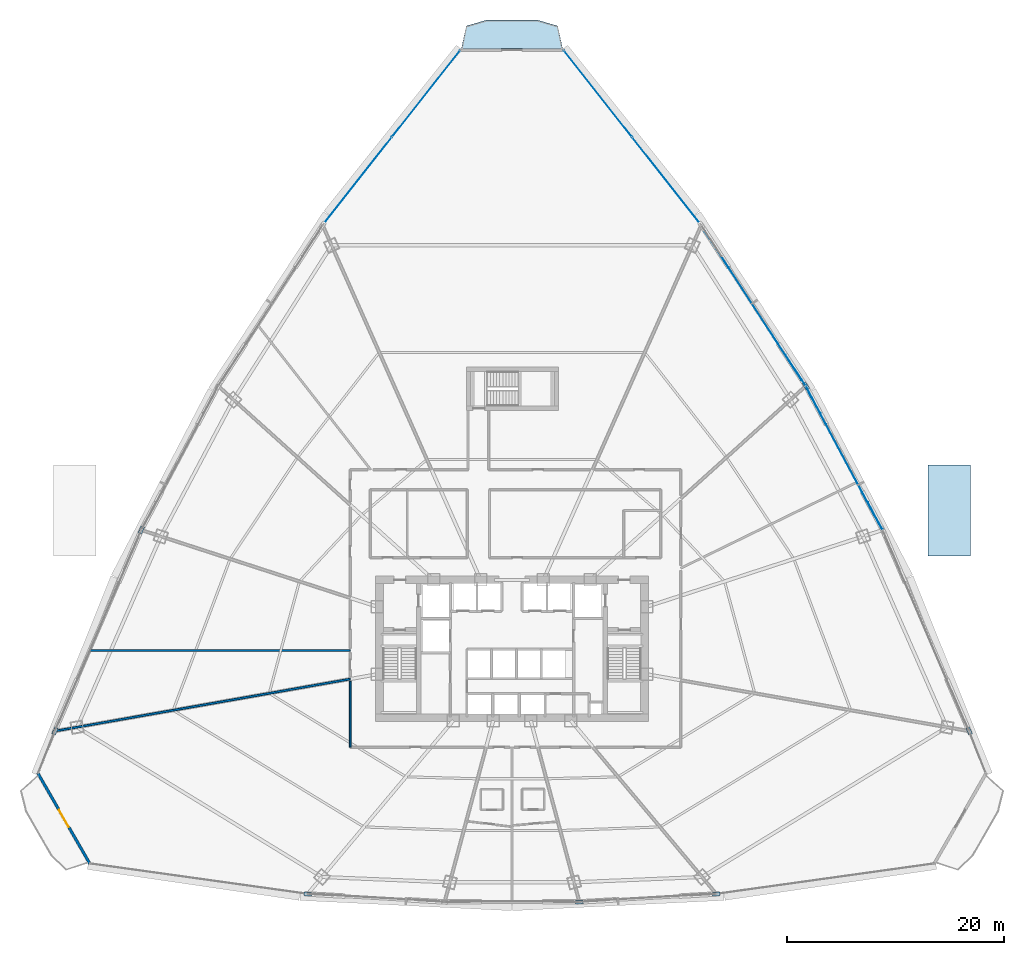
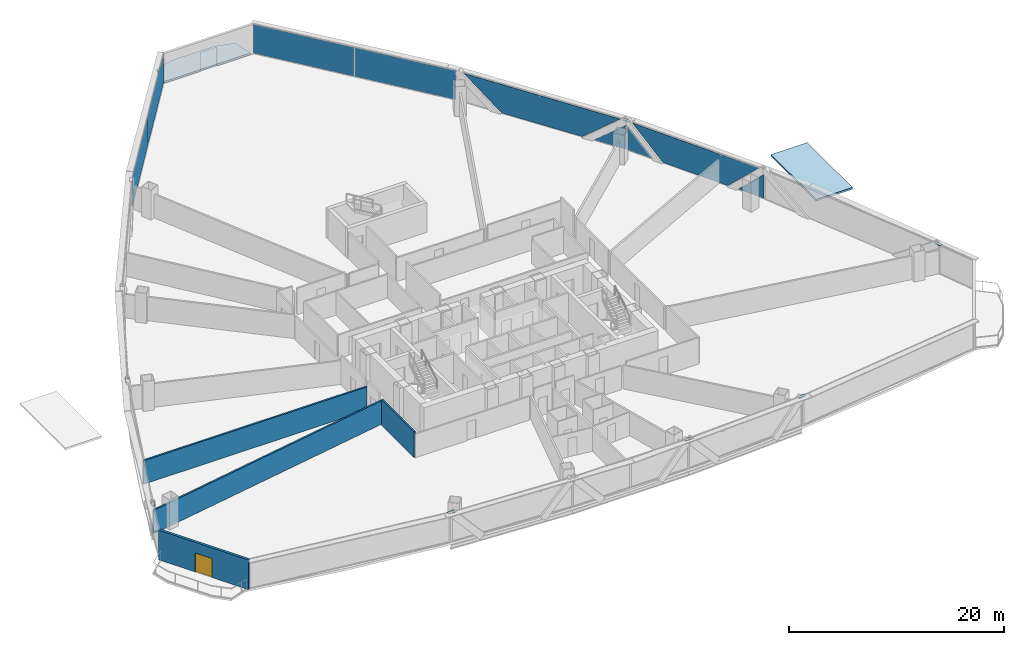
# One storey, part 29 of 38: 16 plates, 4 walls, 2 slabs, 1 door, 1 opening, 4 elements without a shape of their own.
"""IFC4 building model written with IfcOpenShell, lengths in metres."""

from ifc_helpers import new_model, si_unit, direction, frame, frame_2d, origin, origin_with_axes, origin_2d, place, context, subcontext, project, spatial, polyline, rectangle, outline, extrude, source, transform, mapped, material, layer, layer_set, type_object, element, fill, aggregate, save


model = new_model("IFC4")

# Units and contexts
model_context = context("Model", 3, precision=1e-05, world=origin(), true_north=direction((0.0, 1.0)))
body_context = subcontext(model_context, "Body", "Model", "MODEL_VIEW")
ifc_project = project(units=[si_unit("LENGTHUNIT", "METRE"), si_unit("AREAUNIT", "SQUARE_METRE"), si_unit("VOLUMEUNIT", "CUBIC_METRE"), si_unit("PLANEANGLEUNIT", "RADIAN"), si_unit("MASSUNIT", "GRAM", prefix="KILO"), si_unit("THERMODYNAMICTEMPERATUREUNIT", "KELVIN"), si_unit("POWERUNIT", "WATT")], contexts=[model_context])

# Site, building, storey
site_placement = place(None, origin())
site = spatial("IfcSite", under=ifc_project, at=site_placement, CompositionType="ELEMENT")
building_placement = place(site_placement, origin())
building = spatial("IfcBuilding", under=site, at=building_placement, Name="Yunzhuo Pagoda Commons", CompositionType="ELEMENT")
storey_placement = place(building_placement, frame((0.0, 0.0, 30.39990234375)))
storey = spatial("IfcBuildingStorey", under=building, at=storey_placement, Name="L07", CompositionType="ELEMENT", Elevation=30.39990234375)

# Curtain wall, plates
ifc_material_1 = material(Name="Anodized aluminium 6063-T6", Category="aluminium")
ifc_layer_1 = layer(ifc_material_1, 0.1650390625)
ifc_layer_set_1 = layer_set([ifc_layer_1], Name="Anodized aluminium 6063-T6")
curtain_wall_type = type_object("IfcCurtainWallType", Name="CW-LOW Low-Zone Ribbon Curtain Wall", PredefinedType="NOTDEFINED", material=ifc_layer_set_1)
curtain_wall_1_placement = place(storey_placement, origin())
curtain_wall_1 = element("IfcCurtainWall", 1, at=curtain_wall_1_placement, inside=storey, type_object=curtain_wall_type, Name="L07 curtain wall CW-L07-F2B3", PredefinedType="NOTDEFINED")
ifc_material_2 = material(Name="Tempered low-e double glazing", Category="glass")
ifc_layer_2 = layer(ifc_material_2, 0.028076171875)
ifc_layer_set_2 = layer_set([ifc_layer_2], Name="Tempered low-e double glazing")
plate_type_1 = type_object("IfcPlateType", Name="CW-LOW-P Low-E Double Glazing 28", PredefinedType="CURTAIN_PANEL", material=ifc_layer_set_2)
plate_1_placement = place(storey_placement, frame((81.434326171875, 46.086181640625, 1.419677734375), z_axis=(0.882141395132, 0.470984669595, 0.0), x_axis=(-0.470984669595, 0.882141395132, 0.0)))
plate_1 = element("IfcPlate", 2, at=plate_1_placement, type_object=plate_type_1, Name="CW panel 1.1 lite 1", PredefinedType="CURTAIN_PANEL", context=body_context, shape_type="SweptSolid", body=[
    extrude(outline(polyline([(-1.408447265625, -1.359619140625), (1.408203125, -1.359619140625), (-1.408447265625, 1.359619140625), (-1.408447265625, -1.359619140625)])), origin(), (0.0, 0.0, 1.0), 0.028076171875),
])
plate_2_placement = place(storey_placement, frame((78.5595703125, 51.406494140625, 1.68505859375), z_axis=(0.882141395132, 0.470984669595, 0.0), x_axis=(-0.470984669595, 0.882141395132, 0.0)))
plate_2 = element("IfcPlate", 3, at=plate_2_placement, type_object=plate_type_1, Name="CW panel 1.1 lite 2", PredefinedType="CURTAIN_PANEL", context=body_context, shape_type="SweptSolid", body=[
    extrude(outline(polyline([(-6.911376953125, 1.625), (-3.544677734375, -1.625), (3.544677734375, -1.625), (6.911376953125, 1.625), (-6.911376953125, 1.625)])), origin(), (0.0, 0.0, 1.0), 0.028076171875),
])
plate_3_placement = place(storey_placement, frame((75.73779296875, 56.75537109375, 1.419677734375), z_axis=(0.882141395132, 0.470984669595, 0.0), x_axis=(-0.470984669595, 0.882141395132, 0.0)))
plate_3 = element("IfcPlate", 4, at=plate_3_placement, type_object=plate_type_1, Name="CW panel 1.1 lite 3", PredefinedType="CURTAIN_PANEL", context=body_context, shape_type="SweptSolid", body=[
    extrude(outline(polyline([(-1.408203125, -1.359619140625), (1.408447265625, -1.359619140625), (1.408447265625, 1.359619140625), (-1.408203125, -1.359619140625)])), origin(), (0.0, 0.0, 1.0), 0.028076171875),
])
aggregate(curtain_wall_1, [plate_1, plate_2, plate_3])

curtain_wall_2_placement = place(storey_placement, origin())
curtain_wall_2 = element("IfcCurtainWall", 5, at=curtain_wall_2_placement, inside=storey, type_object=curtain_wall_type, Name="L07 curtain wall CW-L07-F2B4", PredefinedType="NOTDEFINED")
plate_4_placement = place(storey_placement, frame((74.09375, 59.518310546875, 1.4423828125), z_axis=(0.83865240069, 0.544667009114, 0.0), x_axis=(-0.544667009114, 0.83865240069, 0.0)))
plate_4 = element("IfcPlate", 6, at=plate_4_placement, type_object=plate_type_1, Name="CW panel 1.1 lite 1", PredefinedType="CURTAIN_PANEL", context=body_context, shape_type="SweptSolid", body=[
    extrude(outline(polyline([(-1.680908203125, -1.38232421875), (1.680908203125, -1.38232421875), (-1.680908203125, 1.38232421875), (-1.680908203125, -1.38232421875)])), origin(), (0.0, 0.0, 1.0), 0.028076171875),
])
plate_5_placement = place(storey_placement, frame((70.2109375, 65.441650390625, 1.68505859375), z_axis=(0.83865240069, 0.544667009114, 0.0), x_axis=(-0.544667009114, 0.83865240069, 0.0)))
plate_5 = element("IfcPlate", 7, at=plate_5_placement, type_object=plate_type_1, Name="CW panel 1.1 lite 2", PredefinedType="CURTAIN_PANEL", context=body_context, shape_type="SweptSolid", body=[
    extrude(outline(polyline([(-8.156982421875, 1.625), (-4.205078125, -1.625), (4.205078125, -1.625), (8.156982421875, 1.625), (-8.156982421875, 1.625)])), origin(), (0.0, 0.0, 1.0), 0.028076171875),
])
aggregate(curtain_wall_2, [plate_4, plate_5])

# Slabs
ifc_material_3 = material(Name="Concrete C40", Category="concrete")
ifc_layer_3 = layer(ifc_material_3, 0.199951171875)
ifc_layer_set_3 = layer_set([ifc_layer_3], Name="Concrete C40")
slab_type_1 = type_object("IfcSlabType", Name="SL-BAL Vertex Balcony Deck Slab 200", PredefinedType="FLOOR", material=ifc_layer_set_3)
slab_1_placement = place(storey_placement, frame((0.0, 0.0, -0.199951171875)))
element("IfcSlab", 8, at=slab_1_placement, inside=storey, type_object=slab_type_1, Name="L07 corner balcony V3", PredefinedType="FLOOR", context=body_context, shape_type="SweptSolid", body=[
    extrude(outline(polyline([(52.66357421875, 89.11572265625), (43.33642578125, 89.11572265625), (43.786376953125, 91.210693359375), (45.668212890625, 91.7607421875), (50.331787109375, 91.7607421875), (52.213623046875, 91.210693359375), (52.66357421875, 89.11572265625)])), origin(), (0.0, 0.0, 1.0), 0.199951171875),
])
ifc_layer_4 = layer(ifc_material_3, 0.199951171875)
ifc_layer_set_4 = layer_set([ifc_layer_4], Name="Concrete C40")
slab_type_2 = type_object("IfcSlabType", Name="SL-RF3 Stair Head Roof Slab 200", PredefinedType="ROOF", material=ifc_layer_set_4)
slab_2_placement = place(storey_placement, frame((0.0, 0.0, -0.260009765625)))
element("IfcSlab", 9, at=slab_2_placement, inside=storey, type_object=slab_type_2, Name="PS4 stair head roof slab", PredefinedType="ROOF", context=body_context, shape_type="SweptSolid", body=[
    extrude(outline(polyline([(86.300048828125, 42.39990234375), (90.199951171875, 42.39990234375), (90.199951171875, 50.800048828125), (86.300048828125, 50.800048828125), (86.300048828125, 42.39990234375)])), origin(), (0.0, 0.0, 1.0), 0.2001953125),
])

# Plates
ifc_material_4 = material(Name="Structural steel Q355B", Category="steel")
ifc_layer_5 = layer(ifc_material_4, 0.028076171875)
ifc_layer_set_5 = layer_set([ifc_layer_5], Name="Structural steel Q355B")
plate_type_2 = type_object("IfcPlateType", Name="SP-ND1 Lattice Node Cap Plate 800x500x28", PredefinedType="USERDEFINED", material=ifc_layer_set_5)
shared_shape_1 = source(origin(), body_context, "Body", "SweptSolid", [
    extrude(rectangle(XDim=0.699951171875, YDim=0.35009765625, at=origin_2d()), origin(), (0.0, 0.0, 1.0), 0.035888671875),
])
for number, where, z_axis, x_axis, name in (
    (10, (29.18701171875, 11.279541015625, 3.33203125), (0.0, 0.0, 1.0), (0.998322672768, -0.057895086472, 0.0), "L07 setback lattice tie plate F1.1L"),
    (11, (54.20361328125, 10.548095703125, 3.33203125), (0.0, 0.0, 1.0), (0.998322672768, 0.057895086472, 0.0), "L07 setback lattice tie plate F1.3L"),
    (12, (66.81298828125, 11.279541015625, 3.33203125), (0.0, 0.0, 1.0), (0.998322672768, 0.057895086472, 0.0), "L07 setback lattice tie plate F1.3R"),
    (13, (90.098388671875, 26.27685546875, 3.33203125), (0.0, 0.0, 1.0), (-0.39485610496, 0.918742976232, 0.0), "L07 setback lattice tie plate F2.1L"),
    (14, (75.056396484375, 58.061767578125, 3.33203125), (0.0, 0.0, 1.0), (-0.544668309809, 0.838651555946, 0.0), "L07 setback lattice tie plate F2.3L"),
    (15, (13.859375, 44.79296875, 3.33203125), (0.0, 0.0, 1.0), (-0.39485610496, -0.918742976232, 0.0), "L07 setback lattice tie plate F3.3L"),
    (16, (5.901611328125, 26.27685546875, 3.33203125), (0.0, 0.0, 1.0), (-0.39485610496, -0.918742976232, 0.0), "L07 setback lattice tie plate F3.3R"),
):
    element("IfcPlate", number, at=place(storey_placement, frame(where, z_axis=z_axis, x_axis=x_axis)), inside=storey, type_object=plate_type_2, Name=name, ObjectType="STIFFENER_PLATE", PredefinedType="USERDEFINED", context=body_context, shape_type="MappedRepresentation", body=[
        mapped(shared_shape_1, transform((0.0, 0.0, 0.0), scale=1.0)),
    ])

# Curtain wall, plates
curtain_wall_3_placement = place(storey_placement, origin())
curtain_wall_3 = element("IfcCurtainWall", 17, at=curtain_wall_3_placement, inside=storey, type_object=curtain_wall_type, Name="L07 curtain wall CW-L07-F2B5", PredefinedType="NOTDEFINED")
shared_shape_2 = source(origin(), body_context, "Body", "SweptSolid", [
    extrude(rectangle(XDim=10.116455078125, YDim=0.028076171875, at=origin_2d()), origin(), (0.0, 0.0, 1.0), 3.25),
])
plate_6_placement = place(storey_placement, frame((62.224365234375, 76.954345703125, 0.06005859375), z_axis=(0.0, 0.0, 1.0), x_axis=(-0.618481153932, 0.785799632369, 0.0)))
plate_6 = element("IfcPlate", 18, at=plate_6_placement, type_object=plate_type_1, Name="CW panel 1.1", PredefinedType="CURTAIN_PANEL", context=body_context, shape_type="MappedRepresentation", body=[
    mapped(shared_shape_2, transform((0.0, 0.0, 0.0), scale=1.0)),
])
plate_7_placement = place(storey_placement, frame((55.92724609375, 84.954833984375, 0.06005859375), z_axis=(0.0, 0.0, 1.0), x_axis=(-0.618481153932, 0.785799632369, 0.0)))
plate_7 = element("IfcPlate", 19, at=plate_7_placement, type_object=plate_type_1, Name="CW panel 2.1", PredefinedType="CURTAIN_PANEL", context=body_context, shape_type="MappedRepresentation", body=[
    mapped(shared_shape_2, transform((0.0, 0.0, 0.0), scale=1.0)),
])
aggregate(curtain_wall_3, [plate_6, plate_7])

curtain_wall_4_placement = place(storey_placement, origin())
curtain_wall_4 = element("IfcCurtainWall", 20, at=curtain_wall_4_placement, inside=storey, type_object=curtain_wall_type, Name="L07 curtain wall CW-L07-F3B1", PredefinedType="NOTDEFINED")
plate_8_placement = place(storey_placement, frame((40.07275390625, 84.954833984375, 0.06005859375), z_axis=(0.0, 0.0, 1.0), x_axis=(-0.618481153932, -0.785799632369, 0.0)))
plate_8 = element("IfcPlate", 21, at=plate_8_placement, type_object=plate_type_1, Name="CW panel 1.1", PredefinedType="CURTAIN_PANEL", context=body_context, shape_type="MappedRepresentation", body=[
    mapped(shared_shape_2, transform((0.0, 0.0, 0.0), scale=1.0)),
])
plate_9_placement = place(storey_placement, frame((33.775634765625, 76.954345703125, 0.06005859375), z_axis=(0.0, 0.0, 1.0), x_axis=(-0.618481153932, -0.785799632369, 0.0)))
plate_9 = element("IfcPlate", 22, at=plate_9_placement, type_object=plate_type_1, Name="CW panel 2.1", PredefinedType="CURTAIN_PANEL", context=body_context, shape_type="MappedRepresentation", body=[
    mapped(shared_shape_2, transform((0.0, 0.0, 0.0), scale=1.0)),
])
aggregate(curtain_wall_4, [plate_8, plate_9])

# Wall, opening, door
ifc_material_5 = material(Name="Precast concrete C40", Category="concrete")
ifc_layer_6 = layer(ifc_material_5, 0.260009765625)
ifc_layer_set_6 = layer_set([ifc_layer_6], Name="Precast concrete C40")
wall_type_1 = type_object("IfcWallType", Name="W-BAL1 Corner Balcony Threshold Wall 260", PredefinedType="STANDARD", material=ifc_layer_set_6)
wall_1_placement = place(storey_placement, frame((4.329345703125, 22.4169921875, 0.0), z_axis=(0.0, 0.0, 1.0), x_axis=(0.497938580997, -0.867212297857, 0.0)))
wall_1 = element("IfcWall", 23, at=wall_1_placement, inside=storey, type_object=wall_type_1, Name="L07 corner balcony wall V1", PredefinedType="STANDARD", context=body_context, shape_type="SweptSolid", body=[
    extrude(rectangle(XDim=9.665771484375, YDim=0.260009765625, at=frame_2d((4.8330078125, 0.0))), origin(), (0.0, 0.0, 1.0), 3.3701171875),
])
opening_placement = place(wall_1_placement, frame((3.93310546875, 0.0, 0.0)))
opening = element("IfcOpeningElement", 24, at=opening_placement, cuts=wall_1, Name="Opening D-BAL1", PredefinedType="OPENING", context=body_context, shape_type="SweptSolid", body=[
    extrude(rectangle(XDim=1.800048828125, YDim=2.14990234375, at=frame_2d((0.89990234375, 1.074951171875))), frame((0.0, 0.14013671875, 0.0), z_axis=(0.0, -1.0, 0.0), x_axis=(1.0, 0.0, 0.0)), (0.0, 0.0, 1.0), 0.280029296875),
])
ifc_material_6 = material(Name="Anodized aluminium frame and tempered glazed leaf", Category="aluminium")
door_type = type_object("IfcDoorType", Name="D-BAL1 Corner Balcony Sliding Glazed Door 1800x2150", OperationType="DOUBLE_DOOR_SLIDING", PredefinedType="DOOR", material=ifc_material_6)
shared_shape_3 = source(origin(), body_context, "Body", "SweptSolid", [
    extrude(rectangle(XDim=1.800048828125, YDim=2.14990234375, at=frame_2d((0.89990234375, 1.074951171875))), frame((0.0, 0.02490234375, 0.0), z_axis=(0.0, -1.0, 0.0), x_axis=(1.0, 0.0, 0.0)), (0.0, 0.0, 1.0), 0.050048828125),
])
door_placement = place(opening_placement, origin_with_axes())
door = element("IfcDoor", 25, at=door_placement, inside=storey, type_object=door_type, Name="L07 corner balcony sliding door V1", OperationType="DOUBLE_DOOR_SLIDING", OverallHeight=2.14990234375, OverallWidth=1.800048828125, PredefinedType="DOOR", context=body_context, shape_type="MappedRepresentation", body=[
    mapped(shared_shape_3, transform((0.0, 0.0, 0.0), scale=1.0)),
])
fill(opening, door)

# Walls
ifc_material_7 = material(Name="Gypsum plasterboard on acoustic stud")
ifc_layer_7 = layer(ifc_material_7, 0.159912109375)
ifc_layer_set_7 = layer_set([ifc_layer_7], Name="Gypsum plasterboard on acoustic stud")
wall_type_2 = type_object("IfcWallType", Name="W-COR1 Tower Rated Corridor Wall 160", PredefinedType="PARTITIONING", material=ifc_layer_set_7)
wall_2_placement = place(storey_placement, frame((33.10009765625, 24.800048828125, 0.0), z_axis=(0.0, 0.0, 1.0), x_axis=(0.0, 1.0, 0.0)))
element("IfcWall", 26, at=wall_2_placement, inside=storey, type_object=wall_type_2, Name="L07 interior wall IW-L07-CWL01", PredefinedType="PARTITIONING", context=body_context, shape_type="SweptSolid", body=[
    extrude(rectangle(XDim=6.04931640625, YDim=0.159912109375, at=frame_2d((3.024658203125, 0.0))), origin(), (0.0, 0.0, 1.0), 2.97021484375),
])
ifc_layer_8 = layer(ifc_material_7, 0.179931640625)
ifc_layer_set_8 = layer_set([ifc_layer_8], Name="Gypsum plasterboard on acoustic stud")
wall_type_3 = type_object("IfcWallType", Name="W-PRT2 Acoustic Unit Demising Wall 180", PredefinedType="PARTITIONING", material=ifc_layer_set_8)
wall_3_placement = place(storey_placement, frame((33.10009765625, 33.699951171875, 0.0), z_axis=(0.0, 0.0, 1.0), x_axis=(-1.0, 0.0, 0.0)))
element("IfcWall", 27, at=wall_3_placement, inside=storey, type_object=wall_type_3, Name="L07 interior wall IW-L07-RAD08", PredefinedType="PARTITIONING", context=body_context, shape_type="SweptSolid", body=[
    extrude(rectangle(XDim=24.00830078125, YDim=0.179931640625, at=frame_2d((12.004150390625, 0.0))), origin(), (0.0, 0.0, 1.0), 2.670166015625),
])
wall_4_placement = place(storey_placement, frame((33.10009765625, 31.07275390625, 0.0), z_axis=(0.0, 0.0, 1.0), x_axis=(-0.98480731051, -0.173650687201, 0.0)))
element("IfcWall", 28, at=wall_4_placement, inside=storey, type_object=wall_type_3, Name="L07 interior wall IW-L07-RAD09", PredefinedType="PARTITIONING", context=body_context, shape_type="SweptSolid", body=[
    extrude(rectangle(XDim=27.6181640625, YDim=0.179931640625, at=frame_2d((13.80908203125, 0.0))), origin(), (0.0, 0.0, 1.0), 2.670166015625),
])

save(model, "model.ifc")
